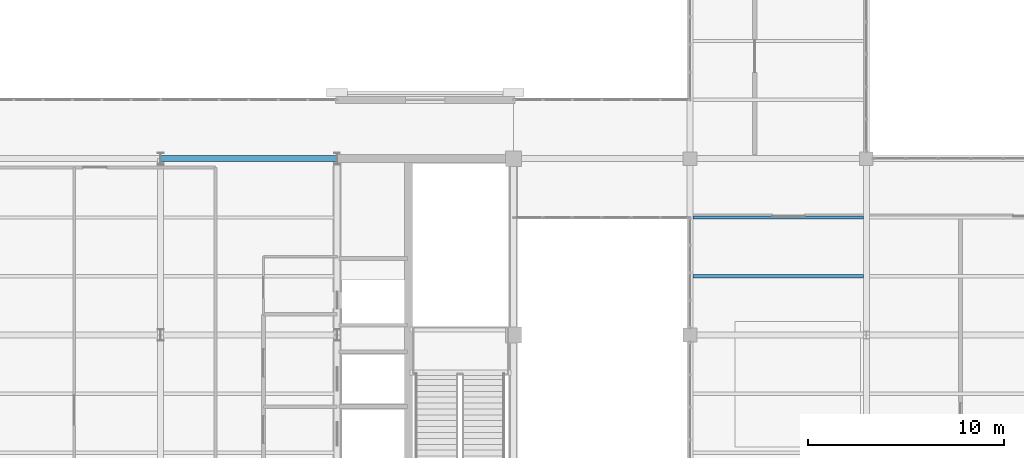
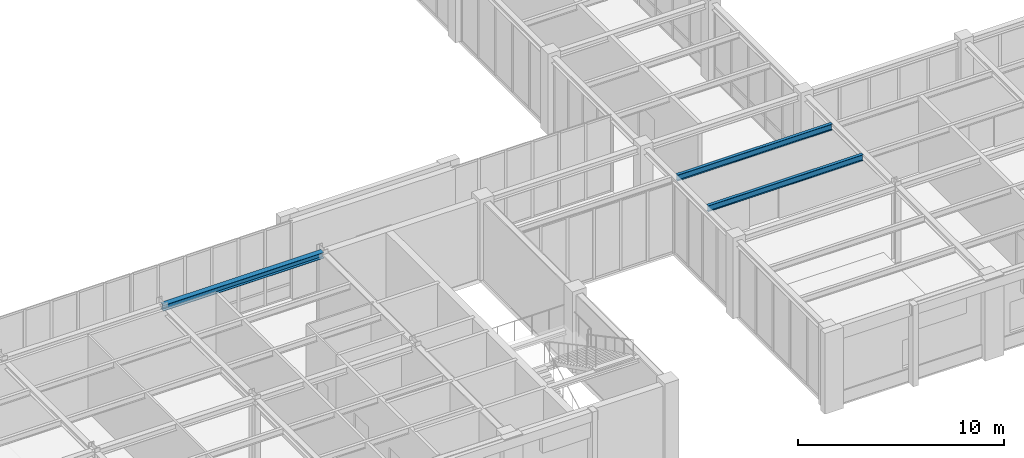
# One storey, part 32 of 92: 3 beams.
"""IFC4 building model written with IfcOpenShell, lengths in metres."""

from ifc_helpers import new_model, si_unit, direction, frame, origin, origin_2d, place, context, subcontext, project, spatial, i_section, extrude, material, material_profile, profile_set, type_object, element, save


model = new_model("IFC4")

# Units and contexts
model_context = context("Model", 3, precision=1e-05, world=origin(), true_north=direction((0.0, 1.0)))
body_context = subcontext(model_context, "Body", "Model", "MODEL_VIEW")
ifc_project = project(units=[si_unit("LENGTHUNIT", "METRE"), si_unit("AREAUNIT", "SQUARE_METRE"), si_unit("VOLUMEUNIT", "CUBIC_METRE"), si_unit("PLANEANGLEUNIT", "RADIAN"), si_unit("MASSUNIT", "GRAM", prefix="KILO")], contexts=[model_context])

# Site, building, storey
site_placement = place(None, origin())
site = spatial("IfcSite", under=ifc_project, at=site_placement, CompositionType="ELEMENT")
building_placement = place(site_placement, origin())
building = spatial("IfcBuilding", under=site, at=building_placement, Name="Lykobir Media Centre", CompositionType="ELEMENT")
storey_placement = place(building_placement, frame((0.0, 0.0, 5.39990234375)))
storey = spatial("IfcBuildingStorey", under=building, at=storey_placement, Name="L01", CompositionType="ELEMENT", Elevation=5.39990234375)

# Beams
ifc_material = material(Name="Steel S355", Category="steel")
ifc_material_profile_1 = material_profile(ifc_material, i_section(OverallWidth=0.169921875, OverallDepth=0.360107421875, WebThickness=0.008056640625, FlangeThickness=0.0126953125, at=origin_2d()), Name="IPE 360")
ifc_profile_set_1 = profile_set([ifc_material_profile_1], Name="Steel S355")
beam_type_1 = type_object("IfcBeamType", Name="JS-IPE360", PredefinedType="JOIST", material=ifc_profile_set_1)
for number, where, z_axis, x_axis, name in (
    (1, (90.14990234375, 12.0, 4.380126953125), (1.0, 0.0, 0.0), (0.0, 1.0, 0.0), "Beam BM-L01-0902-0120-0988-0120-978"),
    (2, (90.14990234375, 15.0, 4.380126953125), (1.0, 0.0, 0.0), (0.0, 1.0, 0.0), "Beam BM-L01-0902-0150-0988-0150-978"),
):
    element("IfcBeam", number, at=place(storey_placement, frame(where, z_axis=z_axis, x_axis=x_axis)), inside=storey, type_object=beam_type_1, Name=name, PredefinedType="JOIST", context=body_context, shape_type="SweptSolid", body=[
        extrude(i_section(OverallWidth=0.169921875, OverallDepth=0.360107421875, WebThickness=0.008056640625, FlangeThickness=0.0126953125, at=origin_2d()), origin(), (0.0, 0.0, 1.0), 8.7001953125),
    ])
ifc_material_profile_2 = material_profile(ifc_material, i_section(OverallWidth=0.300048828125, OverallDepth=0.35009765625, WebThickness=0.010009765625, FlangeThickness=0.017578125, at=origin_2d()), Name="HEA 360")
ifc_profile_set_2 = profile_set([ifc_material_profile_2], Name="Steel S355")
beam_type_2 = type_object("IfcBeamType", Name="SP-HEA360", PredefinedType="SPANDREL", material=ifc_profile_set_2)
beam_placement = place(storey_placement, frame((63.0, 18.0, 4.385009765625), z_axis=(1.0, 0.0, 0.0), x_axis=(0.0, 1.0, 0.0)))
element("IfcBeam", 3, at=beam_placement, inside=storey, type_object=beam_type_2, Name="Beam BM-L01-0630-0180-0720-0180-978", PredefinedType="SPANDREL", context=body_context, shape_type="SweptSolid", body=[
    extrude(i_section(OverallWidth=0.300048828125, OverallDepth=0.35009765625, WebThickness=0.010009765625, FlangeThickness=0.017578125, at=origin_2d()), origin(), (0.0, 0.0, 1.0), 9.0),
])

save(model, "model.ifc")
